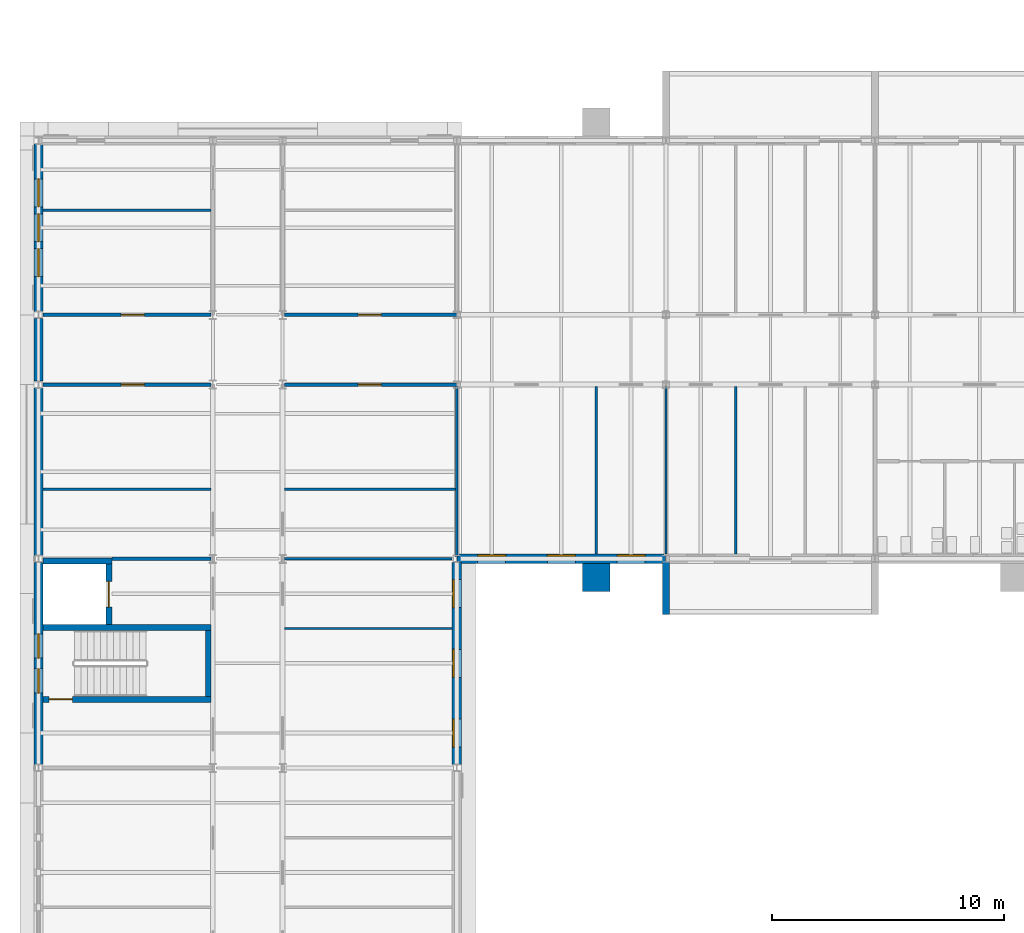
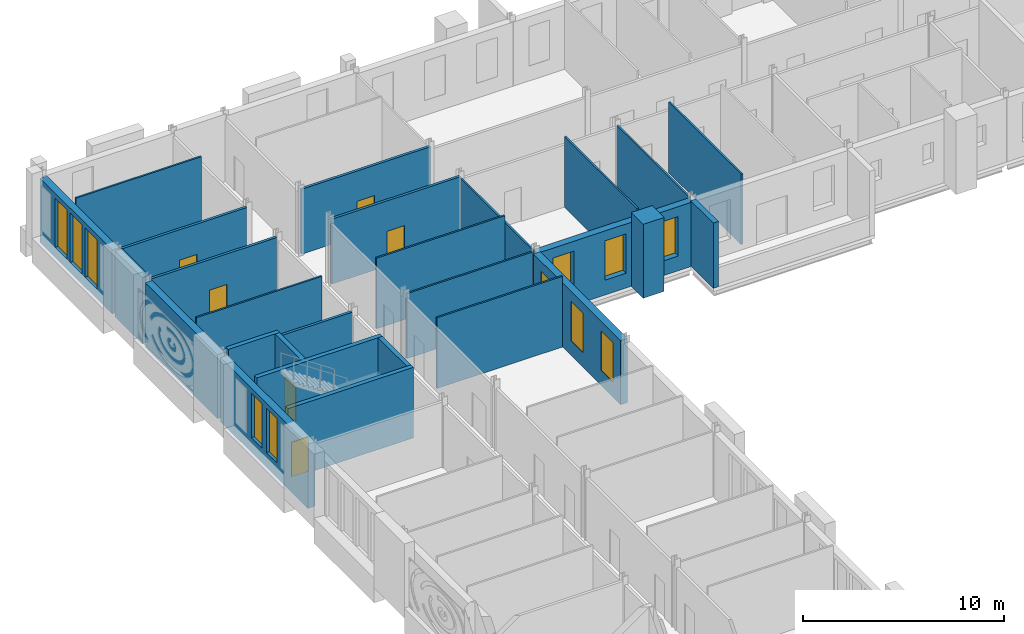
# One storey, part 79 of 134: 27 walls, 11 windows, 6 doors, 17 openings.
"""IFC4 building model written with IfcOpenShell, lengths in metres."""

from ifc_helpers import new_model, si_unit, direction, frame, frame_2d, origin, place, context, subcontext, project, spatial, rectangle, extrude, material, layer, layer_set, type_object, element, fill, save


model = new_model("IFC4")

# Units and contexts
model_context = context("Model", 3, precision=1e-05, world=origin(), true_north=direction((0.0, 1.0)))
body_context = subcontext(model_context, "Body", "Model", "MODEL_VIEW")
ifc_project = project(units=[si_unit("LENGTHUNIT", "METRE"), si_unit("AREAUNIT", "SQUARE_METRE"), si_unit("VOLUMEUNIT", "CUBIC_METRE"), si_unit("PLANEANGLEUNIT", "RADIAN"), si_unit("MASSUNIT", "GRAM", prefix="KILO")], contexts=[model_context])

# Site, building, storey
site_placement = place(None, origin())
site = spatial("IfcSite", under=ifc_project, at=site_placement, CompositionType="ELEMENT")
building_placement = place(site_placement, origin())
building = spatial("IfcBuilding", under=site, at=building_placement, Name="Golden Quay Civic Hall", CompositionType="ELEMENT")
storey_placement = place(building_placement, frame((0.0, 0.0, 5.39990234375)))
storey = spatial("IfcBuildingStorey", under=building, at=storey_placement, Name="L01", CompositionType="ELEMENT", Elevation=5.39990234375)

# Wall, openings, windows
ifc_material_1 = material(Name="Brick, dark clay facing", Category="masonry")
ifc_layer_1 = layer(ifc_material_1, 0.39990234375)
ifc_layer_set_1 = layer_set([ifc_layer_1], Name="Brick external wall 400")
wall_type_1 = type_object("IfcWallType", Name="Brick external wall 400", PredefinedType="STANDARD", material=ifc_layer_set_1)
wall_1_placement = place(storey_placement, frame((18.0, 62.85009765625, 0.0), z_axis=(0.0, 0.0, 1.0), x_axis=(0.0, -1.0, 0.0)))
wall_1 = element("IfcWall", 1, at=wall_1_placement, inside=storey, type_object=wall_type_1, Name="Brick external wall 400 L01 1", PredefinedType="STANDARD", context=body_context, shape_type="SweptSolid", body=[
    extrude(rectangle(XDim=8.7001953125, YDim=0.39990234375, at=frame_2d((4.35009765625, 0.0))), origin(), (0.0, 0.0, 1.0), 3.900146484375),
])
opening_1_placement = place(wall_1_placement, frame((6.75, 0.0, 0.89990234375)))
opening_1 = element("IfcOpeningElement", 2, at=opening_1_placement, cuts=wall_1, Name="Opening WN7", PredefinedType="OPENING", context=body_context, shape_type="SweptSolid", body=[
    extrude(rectangle(XDim=1.199951171875, YDim=2.39990234375, at=frame_2d((0.60009765625, 1.199951171875))), frame((0.0, 0.2099609375, 0.0), z_axis=(0.0, -1.0, 0.0), x_axis=(1.0, 0.0, 0.0)), (0.0, 0.0, 1.0), 0.419921875),
])
opening_2_placement = place(wall_1_placement, frame((3.75, 0.0, 0.89990234375)))
opening_2 = element("IfcOpeningElement", 3, at=opening_2_placement, cuts=wall_1, Name="Opening WN7", PredefinedType="OPENING", context=body_context, shape_type="SweptSolid", body=[
    extrude(rectangle(XDim=1.199951171875, YDim=2.39990234375, at=frame_2d((0.60009765625, 1.199951171875))), frame((0.0, 0.2099609375, 0.0), z_axis=(0.0, -1.0, 0.0), x_axis=(1.0, 0.0, 0.0)), (0.0, 0.0, 1.0), 0.419921875),
])
opening_3_placement = place(wall_1_placement, frame((0.75, 0.0, 0.89990234375)))
opening_3 = element("IfcOpeningElement", 4, at=opening_3_placement, cuts=wall_1, Name="Opening WN7", PredefinedType="OPENING", context=body_context, shape_type="SweptSolid", body=[
    extrude(rectangle(XDim=1.199951171875, YDim=2.39990234375, at=frame_2d((0.60009765625, 1.199951171875))), frame((0.0, 0.2099609375, 0.0), z_axis=(0.0, -1.0, 0.0), x_axis=(1.0, 0.0, 0.0)), (0.0, 0.0, 1.0), 0.419921875),
])
ifc_material_2 = material(Name="Aluminium frame, double glazed", Category="aluminium")
window_type_1 = type_object("IfcWindowType", Name="Window 1200 x 2400", PartitioningType="SINGLE_PANEL", PredefinedType="WINDOW", material=ifc_material_2)
window_1_placement = place(opening_1_placement, origin())
window_1 = element("IfcWindow", 5, at=window_1_placement, inside=storey, type_object=window_type_1, Name="Window 1200 x 2400 L01 1", OverallHeight=2.39990234375, OverallWidth=1.199951171875, PartitioningType="SINGLE_PANEL", PredefinedType="WINDOW", context=body_context, shape_type="SweptSolid", body=[
    extrude(rectangle(XDim=1.199951171875, YDim=2.39990234375, at=frame_2d((0.60009765625, 1.199951171875))), frame((0.0, -0.119873046875, 0.0), z_axis=(0.0, -1.0, 0.0), x_axis=(1.0, 0.0, 0.0)), (0.0, 0.0, 1.0), 0.06005859375),
])
fill(opening_1, window_1)
window_2_placement = place(opening_2_placement, origin())
window_2 = element("IfcWindow", 6, at=window_2_placement, inside=storey, type_object=window_type_1, Name="Window 1200 x 2400 L01 2", OverallHeight=2.39990234375, OverallWidth=1.199951171875, PartitioningType="SINGLE_PANEL", PredefinedType="WINDOW", context=body_context, shape_type="SweptSolid", body=[
    extrude(rectangle(XDim=1.199951171875, YDim=2.39990234375, at=frame_2d((0.60009765625, 1.199951171875))), frame((0.0, -0.119873046875, 0.0), z_axis=(0.0, -1.0, 0.0), x_axis=(1.0, 0.0, 0.0)), (0.0, 0.0, 1.0), 0.06005859375),
])
fill(opening_2, window_2)
window_3_placement = place(opening_3_placement, origin())
window_3 = element("IfcWindow", 7, at=window_3_placement, inside=storey, type_object=window_type_1, Name="Window 1200 x 2400 L01 3", OverallHeight=2.39990234375, OverallWidth=1.199951171875, PartitioningType="SINGLE_PANEL", PredefinedType="WINDOW", context=body_context, shape_type="SweptSolid", body=[
    extrude(rectangle(XDim=1.199951171875, YDim=2.39990234375, at=frame_2d((0.60009765625, 1.199951171875))), frame((0.0, -0.119873046875, 0.0), z_axis=(0.0, -1.0, 0.0), x_axis=(1.0, 0.0, 0.0)), (0.0, 0.0, 1.0), 0.06005859375),
])
fill(opening_3, window_3)

wall_2_placement = place(storey_placement, frame((26.99072265625, 63.0, 0.0), z_axis=(0.0, 0.0, 1.0), x_axis=(-1.0, 0.0, 0.0)))
wall_2 = element("IfcWall", 8, at=wall_2_placement, inside=storey, type_object=wall_type_1, Name="Brick external wall 400 L01 8", PredefinedType="STANDARD", context=body_context, shape_type="SweptSolid", body=[
    extrude(rectangle(XDim=8.980224609375, YDim=0.39990234375, at=frame_2d((4.490234375, 0.0))), origin(), (0.0, 0.0, 1.0), 3.900146484375),
])
opening_4_placement = place(wall_2_placement, frame((6.890869140625, 0.0, 0.89990234375)))
opening_4 = element("IfcOpeningElement", 9, at=opening_4_placement, cuts=wall_2, Name="Opening WN7", PredefinedType="OPENING", context=body_context, shape_type="SweptSolid", body=[
    extrude(rectangle(XDim=1.199951171875, YDim=2.39990234375, at=frame_2d((0.60009765625, 1.199951171875))), frame((0.0, 0.2099609375, 0.0), z_axis=(0.0, -1.0, 0.0), x_axis=(1.0, 0.0, 0.0)), (0.0, 0.0, 1.0), 0.419921875),
])
opening_5_placement = place(wall_2_placement, frame((3.890869140625, 0.0, 0.89990234375)))
opening_5 = element("IfcOpeningElement", 10, at=opening_5_placement, cuts=wall_2, Name="Opening WN7", PredefinedType="OPENING", context=body_context, shape_type="SweptSolid", body=[
    extrude(rectangle(XDim=1.199951171875, YDim=2.39990234375, at=frame_2d((0.60009765625, 1.199951171875))), frame((0.0, 0.2099609375, 0.0), z_axis=(0.0, -1.0, 0.0), x_axis=(1.0, 0.0, 0.0)), (0.0, 0.0, 1.0), 0.419921875),
])
opening_6_placement = place(wall_2_placement, frame((0.890869140625, 0.0, 0.89990234375)))
opening_6 = element("IfcOpeningElement", 11, at=opening_6_placement, cuts=wall_2, Name="Opening WN7", PredefinedType="OPENING", context=body_context, shape_type="SweptSolid", body=[
    extrude(rectangle(XDim=1.199951171875, YDim=2.39990234375, at=frame_2d((0.60009765625, 1.199951171875))), frame((0.0, 0.2099609375, 0.0), z_axis=(0.0, -1.0, 0.0), x_axis=(1.0, 0.0, 0.0)), (0.0, 0.0, 1.0), 0.419921875),
])
window_4_placement = place(opening_4_placement, origin())
window_4 = element("IfcWindow", 12, at=window_4_placement, inside=storey, type_object=window_type_1, Name="Window 1200 x 2400 L01 16", OverallHeight=2.39990234375, OverallWidth=1.199951171875, PartitioningType="SINGLE_PANEL", PredefinedType="WINDOW", context=body_context, shape_type="SweptSolid", body=[
    extrude(rectangle(XDim=1.199951171875, YDim=2.39990234375, at=frame_2d((0.60009765625, 1.199951171875))), frame((0.0, -0.119873046875, 0.0), z_axis=(0.0, -1.0, 0.0), x_axis=(1.0, 0.0, 0.0)), (0.0, 0.0, 1.0), 0.06005859375),
])
fill(opening_4, window_4)
window_5_placement = place(opening_5_placement, origin())
window_5 = element("IfcWindow", 13, at=window_5_placement, inside=storey, type_object=window_type_1, Name="Window 1200 x 2400 L01 17", OverallHeight=2.39990234375, OverallWidth=1.199951171875, PartitioningType="SINGLE_PANEL", PredefinedType="WINDOW", context=body_context, shape_type="SweptSolid", body=[
    extrude(rectangle(XDim=1.199951171875, YDim=2.39990234375, at=frame_2d((0.60009765625, 1.199951171875))), frame((0.0, -0.119873046875, 0.0), z_axis=(0.0, -1.0, 0.0), x_axis=(1.0, 0.0, 0.0)), (0.0, 0.0, 1.0), 0.06005859375),
])
fill(opening_5, window_5)
window_6_placement = place(opening_6_placement, origin())
window_6 = element("IfcWindow", 14, at=window_6_placement, inside=storey, type_object=window_type_1, Name="Window 1200 x 2400 L01 18", OverallHeight=2.39990234375, OverallWidth=1.199951171875, PartitioningType="SINGLE_PANEL", PredefinedType="WINDOW", context=body_context, shape_type="SweptSolid", body=[
    extrude(rectangle(XDim=1.199951171875, YDim=2.39990234375, at=frame_2d((0.60009765625, 1.199951171875))), frame((0.0, -0.119873046875, 0.0), z_axis=(0.0, -1.0, 0.0), x_axis=(1.0, 0.0, 0.0)), (0.0, 0.0, 1.0), 0.06005859375),
])
fill(opening_6, window_6)

# Walls
ifc_material_3 = material(Name="Brick, dark clay facing", Category="masonry")
ifc_layer_2 = layer(ifc_material_3, 0.300048828125)
ifc_layer_set_2 = layer_set([ifc_layer_2], Name="Brick loggia wall 300")
wall_type_2 = type_object("IfcWallType", Name="Brick loggia wall 300", PredefinedType="STANDARD", material=ifc_layer_set_2)
wall_3_placement = place(storey_placement, frame((27.0, 62.85498046875, 0.0), z_axis=(0.0, 0.0, 1.0), x_axis=(0.0, -1.0, 0.0)))
element("IfcWall", 15, at=wall_3_placement, inside=storey, type_object=wall_type_2, Name="Brick loggia wall 300 L01 1", PredefinedType="STANDARD", context=body_context, shape_type="SweptSolid", body=[
    extrude(rectangle(XDim=2.2548828125, YDim=0.300048828125, at=frame_2d((1.12744140625, 0.0))), origin(), (0.0, 0.0, 1.0), 3.97021484375),
])
ifc_material_4 = material(Name="Brick, dark clay facing", Category="masonry")
ifc_layer_3 = layer(ifc_material_4, 1.199951171875)
ifc_layer_set_3 = layer_set([ifc_layer_3], Name="Brick pilaster 1200 x 1200")
wall_type_3 = type_object("IfcWallType", Name="Brick pilaster 1200 x 1200", PredefinedType="STANDARD", material=ifc_layer_set_3)
wall_4_placement = place(storey_placement, frame((23.39990234375, 62.199951171875, 0.0), z_axis=(0.0, 0.0, 1.0), x_axis=(1.0, 0.0, 0.0)))
element("IfcWall", 16, at=wall_4_placement, inside=storey, type_object=wall_type_3, Name="Brick pilaster 1200 x 1200 L01 4", PredefinedType="STANDARD", context=body_context, shape_type="SweptSolid", body=[
    extrude(rectangle(XDim=1.2001953125, YDim=1.199951171875, at=frame_2d((0.60009765625, 0.0))), origin(), (0.0, 0.0, 1.0), 4.5),
])

# Wall, opening, door
ifc_material_5 = material(Name="Concrete C40/50", Category="concrete")
ifc_layer_4 = layer(ifc_material_5, 0.25)
ifc_layer_set_4 = layer_set([ifc_layer_4], Name="Concrete core wall 250, Concrete C40/50")
wall_type_4 = type_object("IfcWallType", Name="Concrete core wall 250", PredefinedType="SHEAR", material=ifc_layer_set_4)
wall_5_placement = place(storey_placement, frame((0.199951171875, 56.949951171875, 0.0), z_axis=(0.0, 0.0, 1.0), x_axis=(1.0, 0.0, 0.0)))
wall_5 = element("IfcWall", 17, at=wall_5_placement, inside=storey, type_object=wall_type_4, Name="Core wall WO-N-W1", PredefinedType="SHEAR", context=body_context, shape_type="SweptSolid", body=[
    extrude(rectangle(XDim=7.22509765625, YDim=0.25, at=frame_2d((3.612548828125, 0.0))), origin(), (0.0, 0.0, 1.0), 4.300048828125),
])
opening_7_placement = place(wall_5_placement, frame((0.25, 0.0, 0.0)))
opening_7 = element("IfcOpeningElement", 18, at=opening_7_placement, cuts=wall_5, Name="Opening L01-D054", PredefinedType="OPENING", context=body_context, shape_type="SweptSolid", body=[
    extrude(rectangle(XDim=1.0, YDim=2.10009765625, at=frame_2d((0.5, 1.050048828125))), frame((0.0, 0.135009765625, 0.0), z_axis=(0.0, -1.0, 0.0), x_axis=(1.0, 0.0, 0.0)), (0.0, 0.0, 1.0), 0.27001953125),
])
ifc_material_6 = material(Name="Steel", Category="steel")
door_type_1 = type_object("IfcDoorType", Name="Steel fire door FD60 1000 x 2100", OperationType="SINGLE_SWING_LEFT", PredefinedType="DOOR", material=ifc_material_6)
door_1_placement = place(opening_7_placement, origin())
door_1 = element("IfcDoor", 19, at=door_1_placement, inside=storey, type_object=door_type_1, Name="Door L01-D054", OperationType="SINGLE_SWING_LEFT", OverallHeight=2.10009765625, OverallWidth=1.0, PredefinedType="DOOR", context=body_context, shape_type="SweptSolid", body=[
    extrude(rectangle(XDim=1.0, YDim=2.10009765625, at=frame_2d((0.5, 1.050048828125))), frame((0.0, 0.02490234375, 0.0), z_axis=(0.0, -1.0, 0.0), x_axis=(1.0, 0.0, 0.0)), (0.0, 0.0, 1.0), 0.050048828125),
])
fill(opening_7, door_1)

# Walls
wall_6_placement = place(storey_placement, frame((0.199951171875, 60.050048828125, 0.0), z_axis=(0.0, 0.0, 1.0), x_axis=(1.0, 0.0, 0.0)))
element("IfcWall", 20, at=wall_6_placement, inside=storey, type_object=wall_type_4, Name="Core wall WO-N-W2", PredefinedType="SHEAR", context=body_context, shape_type="SweptSolid", body=[
    extrude(rectangle(XDim=7.22509765625, YDim=0.25, at=frame_2d((3.612548828125, 0.0))), origin(), (0.0, 0.0, 1.0), 4.300048828125),
])
wall_7_placement = place(storey_placement, frame((7.300048828125, 57.074951171875, 0.0), z_axis=(0.0, 0.0, 1.0), x_axis=(0.0, 1.0, 0.0)))
element("IfcWall", 21, at=wall_7_placement, inside=storey, type_object=wall_type_4, Name="Core wall WO-N-W3", PredefinedType="SHEAR", context=body_context, shape_type="SweptSolid", body=[
    extrude(rectangle(XDim=2.85009765625, YDim=0.25, at=frame_2d((1.425048828125, 0.0))), origin(), (0.0, 0.0, 1.0), 4.300048828125),
])

# Wall, opening, door
wall_8_placement = place(storey_placement, frame((3.02490234375, 60.175048828125, 0.0), z_axis=(0.0, 0.0, 1.0), x_axis=(0.0, 1.0, 0.0)))
wall_8 = element("IfcWall", 22, at=wall_8_placement, inside=storey, type_object=wall_type_4, Name="Core wall WO-N-W4", PredefinedType="SHEAR", context=body_context, shape_type="SweptSolid", body=[
    extrude(rectangle(XDim=2.599853515625, YDim=0.25, at=frame_2d((1.2998046875, 0.0))), origin(), (0.0, 0.0, 1.0), 4.300048828125),
])
opening_8_placement = place(wall_8_placement, frame((0.75, 0.0, 0.0)))
opening_8 = element("IfcOpeningElement", 23, at=opening_8_placement, cuts=wall_8, Name="Opening L01-D069", PredefinedType="OPENING", context=body_context, shape_type="SweptSolid", body=[
    extrude(rectangle(XDim=1.10009765625, YDim=2.10009765625, at=frame_2d((0.550048828125, 1.050048828125))), frame((0.0, 0.135009765625, 0.0), z_axis=(0.0, -1.0, 0.0), x_axis=(1.0, 0.0, 0.0)), (0.0, 0.0, 1.0), 0.27001953125),
])
ifc_material_7 = material(Name="Steel", Category="steel")
door_type_2 = type_object("IfcDoorType", Name="Lift landing door 1100 x 2100", OperationType="SLIDING_TO_LEFT", PredefinedType="DOOR", material=ifc_material_7)
door_2_placement = place(opening_8_placement, origin())
door_2 = element("IfcDoor", 24, at=door_2_placement, inside=storey, type_object=door_type_2, Name="Lift landing door L01-D069 WO-N", OperationType="SLIDING_TO_LEFT", OverallHeight=2.10009765625, OverallWidth=1.10009765625, PredefinedType="DOOR", context=body_context, shape_type="SweptSolid", body=[
    extrude(rectangle(XDim=1.10009765625, YDim=2.10009765625, at=frame_2d((0.550048828125, 1.050048828125))), frame((0.0, 0.02490234375, 0.0), z_axis=(0.0, -1.0, 0.0), x_axis=(1.0, 0.0, 0.0)), (0.0, 0.0, 1.0), 0.050048828125),
])
fill(opening_8, door_2)

# Walls
wall_9_placement = place(storey_placement, frame((0.199951171875, 62.89990234375, 0.0), z_axis=(0.0, 0.0, 1.0), x_axis=(1.0, 0.0, 0.0)))
element("IfcWall", 25, at=wall_9_placement, inside=storey, type_object=wall_type_4, Name="Core wall WO-N-W5", PredefinedType="SHEAR", context=body_context, shape_type="SweptSolid", body=[
    extrude(rectangle(XDim=2.949951171875, YDim=0.25, at=frame_2d((1.47509765625, 0.0))), origin(), (0.0, 0.0, 1.0), 4.300048828125),
])
ifc_material_8 = material(Name="Plasterboard on steel studs", Category="steel")
ifc_layer_5 = layer(ifc_material_8, 0.10009765625)
ifc_layer_set_5 = layer_set([ifc_layer_5], Name="Partition 100 stud")
wall_type_5 = type_object("IfcWallType", Name="Partition 100 stud", PredefinedType="PARTITIONING", material=ifc_layer_set_5)
wall_10_placement = place(storey_placement, frame((10.574951171875, 60.0, 0.0), z_axis=(0.0, 0.0, 1.0), x_axis=(1.0, 0.0, 0.0)))
element("IfcWall", 26, at=wall_10_placement, inside=storey, type_object=wall_type_5, Name="Partition L01-024", PredefinedType="PARTITIONING", context=body_context, shape_type="SweptSolid", body=[
    extrude(rectangle(XDim=7.22509765625, YDim=0.10009765625, at=frame_2d((3.612548828125, 0.0))), origin(), (0.0, 0.0, 1.0), 4.300048828125),
])
wall_11_placement = place(storey_placement, frame((10.574951171875, 63.0, 0.0), z_axis=(0.0, 0.0, 1.0), x_axis=(1.0, 0.0, 0.0)))
element("IfcWall", 27, at=wall_11_placement, inside=storey, type_object=wall_type_5, Name="Partition L01-025", PredefinedType="PARTITIONING", context=body_context, shape_type="SweptSolid", body=[
    extrude(rectangle(XDim=7.22509765625, YDim=0.10009765625, at=frame_2d((3.612548828125, 0.0))), origin(), (0.0, 0.0, 1.0), 3.9501953125),
])
wall_12_placement = place(storey_placement, frame((0.199951171875, 66.0, 0.0), z_axis=(0.0, 0.0, 1.0), x_axis=(1.0, 0.0, 0.0)))
element("IfcWall", 28, at=wall_12_placement, inside=storey, type_object=wall_type_5, Name="Partition L01-039", PredefinedType="PARTITIONING", context=body_context, shape_type="SweptSolid", body=[
    extrude(rectangle(XDim=7.22509765625, YDim=0.10009765625, at=frame_2d((3.612548828125, 0.0))), origin(), (0.0, 0.0, 1.0), 4.300048828125),
])
wall_13_placement = place(storey_placement, frame((10.574951171875, 66.0, 0.0), z_axis=(0.0, 0.0, 1.0), x_axis=(1.0, 0.0, 0.0)))
element("IfcWall", 29, at=wall_13_placement, inside=storey, type_object=wall_type_5, Name="Partition L01-040", PredefinedType="PARTITIONING", context=body_context, shape_type="SweptSolid", body=[
    extrude(rectangle(XDim=7.375, YDim=0.10009765625, at=frame_2d((3.6875, 0.0))), origin(), (0.0, 0.0, 1.0), 4.300048828125),
])
wall_14_placement = place(storey_placement, frame((0.199951171875, 78.0, 0.0), z_axis=(0.0, 0.0, 1.0), x_axis=(1.0, 0.0, 0.0)))
element("IfcWall", 30, at=wall_14_placement, inside=storey, type_object=wall_type_5, Name="Partition L01-041", PredefinedType="PARTITIONING", context=body_context, shape_type="SweptSolid", body=[
    extrude(rectangle(XDim=7.22509765625, YDim=0.10009765625, at=frame_2d((3.612548828125, 0.0))), origin(), (0.0, 0.0, 1.0), 4.300048828125),
])
wall_15_placement = place(storey_placement, frame((18.0, 63.074951171875, 0.0), z_axis=(0.0, 0.0, 1.0), x_axis=(0.0, 1.0, 0.0)))
element("IfcWall", 31, at=wall_15_placement, inside=storey, type_object=wall_type_5, Name="Partition L01-043", PredefinedType="PARTITIONING", context=body_context, shape_type="SweptSolid", body=[
    extrude(rectangle(XDim=7.35009765625, YDim=0.10009765625, at=frame_2d((3.675048828125, 0.0))), origin(), (0.0, 0.0, 1.0), 3.880126953125),
])
wall_16_placement = place(storey_placement, frame((24.0, 63.199951171875, 0.0), z_axis=(0.0, 0.0, 1.0), x_axis=(0.0, 1.0, 0.0)))
element("IfcWall", 32, at=wall_16_placement, inside=storey, type_object=wall_type_5, Name="Partition L01-000", PredefinedType="PARTITIONING", context=body_context, shape_type="SweptSolid", body=[
    extrude(rectangle(XDim=7.22509765625, YDim=0.10009765625, at=frame_2d((3.612548828125, 0.0))), origin(), (0.0, 0.0, 1.0), 4.300048828125),
])
wall_17_placement = place(storey_placement, frame((27.0, 63.199951171875, 0.0), z_axis=(0.0, 0.0, 1.0), x_axis=(0.0, 1.0, 0.0)))
element("IfcWall", 33, at=wall_17_placement, inside=storey, type_object=wall_type_5, Name="Partition L01-001", PredefinedType="PARTITIONING", context=body_context, shape_type="SweptSolid", body=[
    extrude(rectangle(XDim=7.22509765625, YDim=0.10009765625, at=frame_2d((3.612548828125, 0.0))), origin(), (0.0, 0.0, 1.0), 3.9501953125),
])
wall_18_placement = place(storey_placement, frame((30.0, 63.199951171875, 0.0), z_axis=(0.0, 0.0, 1.0), x_axis=(0.0, 1.0, 0.0)))
element("IfcWall", 34, at=wall_18_placement, inside=storey, type_object=wall_type_5, Name="Partition L01-002", PredefinedType="PARTITIONING", context=body_context, shape_type="SweptSolid", body=[
    extrude(rectangle(XDim=7.22509765625, YDim=0.10009765625, at=frame_2d((3.612548828125, 0.0))), origin(), (0.0, 0.0, 1.0), 4.300048828125),
])
ifc_material_9 = material(Name="Plasterboard on steel studs", Category="steel")
ifc_layer_6 = layer(ifc_material_9, 0.14990234375)
ifc_layer_set_6 = layer_set([ifc_layer_6], Name="Partition 150 stud fire EI 60")
wall_type_6 = type_object("IfcWallType", Name="Partition 150 stud fire EI 60", PredefinedType="PARTITIONING", material=ifc_layer_set_6)
wall_19_placement = place(storey_placement, frame((3.14990234375, 63.0, 0.0), z_axis=(0.0, 0.0, 1.0), x_axis=(1.0, 0.0, 0.0)))
element("IfcWall", 35, at=wall_19_placement, inside=storey, type_object=wall_type_6, Name="Partition L01-031", PredefinedType="PARTITIONING", context=body_context, shape_type="SweptSolid", body=[
    extrude(rectangle(XDim=4.275146484375, YDim=0.14990234375, at=frame_2d((2.1376953125, 0.0))), origin(), (0.0, 0.0, 1.0), 3.9501953125),
])

# Wall, opening, door
wall_20_placement = place(storey_placement, frame((0.199951171875, 70.5, 0.0), z_axis=(0.0, 0.0, 1.0), x_axis=(1.0, 0.0, 0.0)))
wall_20 = element("IfcWall", 36, at=wall_20_placement, inside=storey, type_object=wall_type_6, Name="Partition L01-032", PredefinedType="PARTITIONING", context=body_context, shape_type="SweptSolid", body=[
    extrude(rectangle(XDim=7.22509765625, YDim=0.14990234375, at=frame_2d((3.612548828125, 0.0))), origin(), (0.0, 0.0, 1.0), 3.9501953125),
])
opening_9_placement = place(wall_20_placement, frame((3.35009765625, 0.0, 0.0)))
opening_9 = element("IfcOpeningElement", 37, at=opening_9_placement, cuts=wall_20, Name="Opening L01-D061", PredefinedType="OPENING", context=body_context, shape_type="SweptSolid", body=[
    extrude(rectangle(XDim=1.0, YDim=2.10009765625, at=frame_2d((0.5, 1.050048828125))), frame((0.0, 0.0849609375, 0.0), z_axis=(0.0, -1.0, 0.0), x_axis=(1.0, 0.0, 0.0)), (0.0, 0.0, 1.0), 0.169921875),
])
ifc_material_10 = material(Name="Steel", Category="steel")
door_type_3 = type_object("IfcDoorType", Name="Steel fire door FD30S 1000 x 2100", OperationType="SINGLE_SWING_LEFT", PredefinedType="DOOR", material=ifc_material_10)
door_3_placement = place(opening_9_placement, frame((1.0, 0.0, 0.0), z_axis=(0.0, 0.0, 1.0), x_axis=(-1.0, 0.0, 0.0)))
door_3 = element("IfcDoor", 38, at=door_3_placement, inside=storey, type_object=door_type_3, Name="Door L01-D061", OperationType="SINGLE_SWING_RIGHT", OverallHeight=2.10009765625, OverallWidth=1.0, PredefinedType="DOOR", context=body_context, shape_type="SweptSolid", body=[
    extrude(rectangle(XDim=1.0, YDim=2.10009765625, at=frame_2d((0.5, 1.050048828125))), frame((0.0, 0.025146484375, 0.0), z_axis=(0.0, -1.0, 0.0), x_axis=(1.0, 0.0, 0.0)), (0.0, 0.0, 1.0), 0.050048828125),
])
fill(opening_9, door_3)

wall_21_placement = place(storey_placement, frame((0.199951171875, 73.5, 0.0), z_axis=(0.0, 0.0, 1.0), x_axis=(1.0, 0.0, 0.0)))
wall_21 = element("IfcWall", 39, at=wall_21_placement, inside=storey, type_object=wall_type_6, Name="Partition L01-033", PredefinedType="PARTITIONING", context=body_context, shape_type="SweptSolid", body=[
    extrude(rectangle(XDim=7.22509765625, YDim=0.14990234375, at=frame_2d((3.612548828125, 0.0))), origin(), (0.0, 0.0, 1.0), 3.9501953125),
])
opening_10_placement = place(wall_21_placement, frame((3.35009765625, 0.0, 0.0)))
opening_10 = element("IfcOpeningElement", 40, at=opening_10_placement, cuts=wall_21, Name="Opening L01-D064", PredefinedType="OPENING", context=body_context, shape_type="SweptSolid", body=[
    extrude(rectangle(XDim=1.0, YDim=2.10009765625, at=frame_2d((0.5, 1.050048828125))), frame((0.0, 0.0849609375, 0.0), z_axis=(0.0, -1.0, 0.0), x_axis=(1.0, 0.0, 0.0)), (0.0, 0.0, 1.0), 0.169921875),
])
door_4_placement = place(opening_10_placement, origin())
door_4 = element("IfcDoor", 41, at=door_4_placement, inside=storey, type_object=door_type_3, Name="Door L01-D064", OperationType="SINGLE_SWING_LEFT", OverallHeight=2.10009765625, OverallWidth=1.0, PredefinedType="DOOR", context=body_context, shape_type="SweptSolid", body=[
    extrude(rectangle(XDim=1.0, YDim=2.10009765625, at=frame_2d((0.5, 1.050048828125))), frame((0.0, 0.02490234375, 0.0), z_axis=(0.0, -1.0, 0.0), x_axis=(1.0, 0.0, 0.0)), (0.0, 0.0, 1.0), 0.050048828125),
])
fill(opening_10, door_4)

wall_22_placement = place(storey_placement, frame((10.574951171875, 70.5, 0.0), z_axis=(0.0, 0.0, 1.0), x_axis=(1.0, 0.0, 0.0)))
wall_22 = element("IfcWall", 42, at=wall_22_placement, inside=storey, type_object=wall_type_6, Name="Partition L01-034", PredefinedType="PARTITIONING", context=body_context, shape_type="SweptSolid", body=[
    extrude(rectangle(XDim=7.425048828125, YDim=0.14990234375, at=frame_2d((3.71240234375, 0.0))), origin(), (0.0, 0.0, 1.0), 3.9501953125),
])
opening_11_placement = place(wall_22_placement, frame((3.175048828125, 0.0, 0.0)))
opening_11 = element("IfcOpeningElement", 43, at=opening_11_placement, cuts=wall_22, Name="Opening L01-D063", PredefinedType="OPENING", context=body_context, shape_type="SweptSolid", body=[
    extrude(rectangle(XDim=1.0, YDim=2.10009765625, at=frame_2d((0.5, 1.050048828125))), frame((0.0, 0.0849609375, 0.0), z_axis=(0.0, -1.0, 0.0), x_axis=(1.0, 0.0, 0.0)), (0.0, 0.0, 1.0), 0.169921875),
])
door_5_placement = place(opening_11_placement, frame((1.0, 0.0, 0.0), z_axis=(0.0, 0.0, 1.0), x_axis=(-1.0, 0.0, 0.0)))
door_5 = element("IfcDoor", 44, at=door_5_placement, inside=storey, type_object=door_type_3, Name="Door L01-D063", OperationType="SINGLE_SWING_RIGHT", OverallHeight=2.10009765625, OverallWidth=1.0, PredefinedType="DOOR", context=body_context, shape_type="SweptSolid", body=[
    extrude(rectangle(XDim=1.0, YDim=2.10009765625, at=frame_2d((0.5, 1.050048828125))), frame((0.0, 0.025146484375, 0.0), z_axis=(0.0, -1.0, 0.0), x_axis=(1.0, 0.0, 0.0)), (0.0, 0.0, 1.0), 0.050048828125),
])
fill(opening_11, door_5)

wall_23_placement = place(storey_placement, frame((10.574951171875, 73.5, 0.0), z_axis=(0.0, 0.0, 1.0), x_axis=(1.0, 0.0, 0.0)))
wall_23 = element("IfcWall", 45, at=wall_23_placement, inside=storey, type_object=wall_type_6, Name="Partition L01-035", PredefinedType="PARTITIONING", context=body_context, shape_type="SweptSolid", body=[
    extrude(rectangle(XDim=7.425048828125, YDim=0.14990234375, at=frame_2d((3.71240234375, 0.0))), origin(), (0.0, 0.0, 1.0), 3.9501953125),
])
opening_12_placement = place(wall_23_placement, frame((3.175048828125, 0.0, 0.0)))
opening_12 = element("IfcOpeningElement", 46, at=opening_12_placement, cuts=wall_23, Name="Opening L01-D066", PredefinedType="OPENING", context=body_context, shape_type="SweptSolid", body=[
    extrude(rectangle(XDim=1.0, YDim=2.10009765625, at=frame_2d((0.5, 1.050048828125))), frame((0.0, 0.0849609375, 0.0), z_axis=(0.0, -1.0, 0.0), x_axis=(1.0, 0.0, 0.0)), (0.0, 0.0, 1.0), 0.169921875),
])
door_6_placement = place(opening_12_placement, origin())
door_6 = element("IfcDoor", 47, at=door_6_placement, inside=storey, type_object=door_type_3, Name="Door L01-D066", OperationType="SINGLE_SWING_LEFT", OverallHeight=2.10009765625, OverallWidth=1.0, PredefinedType="DOOR", context=body_context, shape_type="SweptSolid", body=[
    extrude(rectangle(XDim=1.0, YDim=2.10009765625, at=frame_2d((0.5, 1.050048828125))), frame((0.0, 0.02490234375, 0.0), z_axis=(0.0, -1.0, 0.0), x_axis=(1.0, 0.0, 0.0)), (0.0, 0.0, 1.0), 0.050048828125),
])
fill(opening_12, door_6)

# Walls
ifc_material_11 = material(Name="Clay block, rendered, cream")
ifc_layer_7 = layer(ifc_material_11, 0.39990234375)
ifc_layer_set_7 = layer_set([ifc_layer_7], Name="Rendered block external wall 400")
wall_type_7 = type_object("IfcWallType", Name="Rendered block external wall 400", PredefinedType="STANDARD", material=ifc_layer_set_7)
wall_24_placement = place(storey_placement, frame((0.0, 63.14990234375, 0.0), z_axis=(0.0, 0.0, 1.0), x_axis=(0.0, 1.0, 0.0)))
element("IfcWall", 48, at=wall_24_placement, inside=storey, type_object=wall_type_7, Name="Rendered block external wall 400 L01 6", PredefinedType="STANDARD", context=body_context, shape_type="SweptSolid", body=[
    extrude(rectangle(XDim=7.2001953125, YDim=0.39990234375, at=frame_2d((3.60009765625, 0.0))), origin(), (0.0, 0.0, 1.0), 3.900146484375),
])
wall_25_placement = place(storey_placement, frame((0.0, 70.64990234375, 0.0), z_axis=(0.0, 0.0, 1.0), x_axis=(0.0, 1.0, 0.0)))
element("IfcWall", 49, at=wall_25_placement, inside=storey, type_object=wall_type_7, Name="Rendered block external wall 400 L01 7", PredefinedType="STANDARD", context=body_context, shape_type="SweptSolid", body=[
    extrude(rectangle(XDim=2.7001953125, YDim=0.39990234375, at=frame_2d((1.35009765625, 0.0))), origin(), (0.0, 0.0, 1.0), 4.030029296875),
])

# Wall, openings, windows
wall_26_placement = place(storey_placement, frame((0.0, 73.64990234375, 0.0), z_axis=(0.0, 0.0, 1.0), x_axis=(0.0, 1.0, 0.0)))
wall_26 = element("IfcWall", 50, at=wall_26_placement, inside=storey, type_object=wall_type_7, Name="Rendered block external wall 400 L01 8", PredefinedType="STANDARD", context=body_context, shape_type="SweptSolid", body=[
    extrude(rectangle(XDim=7.2001953125, YDim=0.39990234375, at=frame_2d((3.60009765625, 0.0))), origin(), (0.0, 0.0, 1.0), 3.900146484375),
])
opening_13_placement = place(wall_26_placement, frame((1.5, 0.0, 0.60009765625)))
opening_13 = element("IfcOpeningElement", 51, at=opening_13_placement, cuts=wall_26, Name="Opening WN5", PredefinedType="OPENING", context=body_context, shape_type="SweptSolid", body=[
    extrude(rectangle(XDim=1.199951171875, YDim=3.0, at=frame_2d((0.60009765625, 1.5))), frame((0.0, 0.2099609375, 0.0), z_axis=(0.0, -1.0, 0.0), x_axis=(1.0, 0.0, 0.0)), (0.0, 0.0, 1.0), 0.419921875),
])
opening_14_placement = place(wall_26_placement, frame((3.0, 0.0, 0.60009765625)))
opening_14 = element("IfcOpeningElement", 52, at=opening_14_placement, cuts=wall_26, Name="Opening WN5", PredefinedType="OPENING", context=body_context, shape_type="SweptSolid", body=[
    extrude(rectangle(XDim=1.199951171875, YDim=3.0, at=frame_2d((0.60009765625, 1.5))), frame((0.0, 0.2099609375, 0.0), z_axis=(0.0, -1.0, 0.0), x_axis=(1.0, 0.0, 0.0)), (0.0, 0.0, 1.0), 0.419921875),
])
opening_15_placement = place(wall_26_placement, frame((4.5, 0.0, 0.60009765625)))
opening_15 = element("IfcOpeningElement", 53, at=opening_15_placement, cuts=wall_26, Name="Opening WN5", PredefinedType="OPENING", context=body_context, shape_type="SweptSolid", body=[
    extrude(rectangle(XDim=1.199951171875, YDim=3.0, at=frame_2d((0.60009765625, 1.5))), frame((0.0, 0.2099609375, 0.0), z_axis=(0.0, -1.0, 0.0), x_axis=(1.0, 0.0, 0.0)), (0.0, 0.0, 1.0), 0.419921875),
])
ifc_material_12 = material(Name="Aluminium frame, double glazed", Category="aluminium")
window_type_2 = type_object("IfcWindowType", Name="Golden grid window 1200 x 3000", PartitioningType="SINGLE_PANEL", PredefinedType="WINDOW", material=ifc_material_12)
window_7_placement = place(opening_13_placement, origin())
window_7 = element("IfcWindow", 54, at=window_7_placement, inside=storey, type_object=window_type_2, Name="Golden grid window 1200 x 3000 L01 9", OverallHeight=3.0, OverallWidth=1.199951171875, PartitioningType="SINGLE_PANEL", PredefinedType="WINDOW", context=body_context, shape_type="SweptSolid", body=[
    extrude(rectangle(XDim=1.199951171875, YDim=3.0, at=frame_2d((0.60009765625, 1.5))), frame((0.0, 0.030029296875, 0.0), z_axis=(0.0, -1.0, 0.0), x_axis=(1.0, 0.0, 0.0)), (0.0, 0.0, 1.0), 0.06005859375),
])
fill(opening_13, window_7)
window_8_placement = place(opening_14_placement, origin())
window_8 = element("IfcWindow", 55, at=window_8_placement, inside=storey, type_object=window_type_2, Name="Golden grid window 1200 x 3000 L01 10", OverallHeight=3.0, OverallWidth=1.199951171875, PartitioningType="SINGLE_PANEL", PredefinedType="WINDOW", context=body_context, shape_type="SweptSolid", body=[
    extrude(rectangle(XDim=1.199951171875, YDim=3.0, at=frame_2d((0.60009765625, 1.5))), frame((0.0, 0.030029296875, 0.0), z_axis=(0.0, -1.0, 0.0), x_axis=(1.0, 0.0, 0.0)), (0.0, 0.0, 1.0), 0.06005859375),
])
fill(opening_14, window_8)
window_9_placement = place(opening_15_placement, origin())
window_9 = element("IfcWindow", 56, at=window_9_placement, inside=storey, type_object=window_type_2, Name="Golden grid window 1200 x 3000 L01 11", OverallHeight=3.0, OverallWidth=1.199951171875, PartitioningType="SINGLE_PANEL", PredefinedType="WINDOW", context=body_context, shape_type="SweptSolid", body=[
    extrude(rectangle(XDim=1.199951171875, YDim=3.0, at=frame_2d((0.60009765625, 1.5))), frame((0.0, 0.030029296875, 0.0), z_axis=(0.0, -1.0, 0.0), x_axis=(1.0, 0.0, 0.0)), (0.0, 0.0, 1.0), 0.06005859375),
])
fill(opening_15, window_9)

ifc_material_13 = material(Name="Clay block, rendered, cream")
ifc_layer_8 = layer(ifc_material_13, 0.39990234375)
ifc_layer_set_8 = layer_set([ifc_layer_8], Name="Rendered block external wall 400 fire EI 60")
wall_type_8 = type_object("IfcWallType", Name="Rendered block external wall 400 fire EI 60", PredefinedType="STANDARD", material=ifc_layer_set_8)
wall_27_placement = place(storey_placement, frame((0.0, 54.14990234375, 0.0), z_axis=(0.0, 0.0, 1.0), x_axis=(0.0, 1.0, 0.0)))
wall_27 = element("IfcWall", 57, at=wall_27_placement, inside=storey, type_object=wall_type_8, Name="Rendered block external wall 400 fire EI 60 L01 2", PredefinedType="STANDARD", context=body_context, shape_type="SweptSolid", body=[
    extrude(rectangle(XDim=8.7001953125, YDim=0.39990234375, at=frame_2d((4.35009765625, 0.0))), origin(), (0.0, 0.0, 1.0), 3.900146484375),
])
opening_16_placement = place(wall_27_placement, frame((3.074951171875, 0.0, 0.89990234375)))
opening_16 = element("IfcOpeningElement", 58, at=opening_16_placement, cuts=wall_27, Name="Opening WN6", PredefinedType="OPENING", context=body_context, shape_type="SweptSolid", body=[
    extrude(rectangle(XDim=1.050048828125, YDim=2.699951171875, at=frame_2d((0.52490234375, 1.35009765625))), frame((0.0, 0.2099609375, 0.0), z_axis=(0.0, -1.0, 0.0), x_axis=(1.0, 0.0, 0.0)), (0.0, 0.0, 1.0), 0.419921875),
])
opening_17_placement = place(wall_27_placement, frame((4.574951171875, 0.0, 0.89990234375)))
opening_17 = element("IfcOpeningElement", 59, at=opening_17_placement, cuts=wall_27, Name="Opening WN6", PredefinedType="OPENING", context=body_context, shape_type="SweptSolid", body=[
    extrude(rectangle(XDim=1.050048828125, YDim=2.699951171875, at=frame_2d((0.52490234375, 1.35009765625))), frame((0.0, 0.2099609375, 0.0), z_axis=(0.0, -1.0, 0.0), x_axis=(1.0, 0.0, 0.0)), (0.0, 0.0, 1.0), 0.419921875),
])
ifc_material_14 = material(Name="Aluminium frame, double glazed", Category="aluminium")
window_type_3 = type_object("IfcWindowType", Name="Stair light window 1050 x 2700", PartitioningType="SINGLE_PANEL", PredefinedType="WINDOW", material=ifc_material_14)
window_10_placement = place(opening_16_placement, origin())
window_10 = element("IfcWindow", 60, at=window_10_placement, inside=storey, type_object=window_type_3, Name="Stair light window 1050 x 2700 L01 3", OverallHeight=2.699951171875, OverallWidth=1.050048828125, PartitioningType="SINGLE_PANEL", PredefinedType="WINDOW", context=body_context, shape_type="SweptSolid", body=[
    extrude(rectangle(XDim=1.050048828125, YDim=2.699951171875, at=frame_2d((0.52490234375, 1.35009765625))), frame((0.0, 0.030029296875, 0.0), z_axis=(0.0, -1.0, 0.0), x_axis=(1.0, 0.0, 0.0)), (0.0, 0.0, 1.0), 0.06005859375),
])
fill(opening_16, window_10)
window_11_placement = place(opening_17_placement, origin())
window_11 = element("IfcWindow", 61, at=window_11_placement, inside=storey, type_object=window_type_3, Name="Stair light window 1050 x 2700 L01 4", OverallHeight=2.699951171875, OverallWidth=1.050048828125, PartitioningType="SINGLE_PANEL", PredefinedType="WINDOW", context=body_context, shape_type="SweptSolid", body=[
    extrude(rectangle(XDim=1.050048828125, YDim=2.699951171875, at=frame_2d((0.52490234375, 1.35009765625))), frame((0.0, 0.030029296875, 0.0), z_axis=(0.0, -1.0, 0.0), x_axis=(1.0, 0.0, 0.0)), (0.0, 0.0, 1.0), 0.06005859375),
])
fill(opening_17, window_11)

save(model, "model.ifc")
